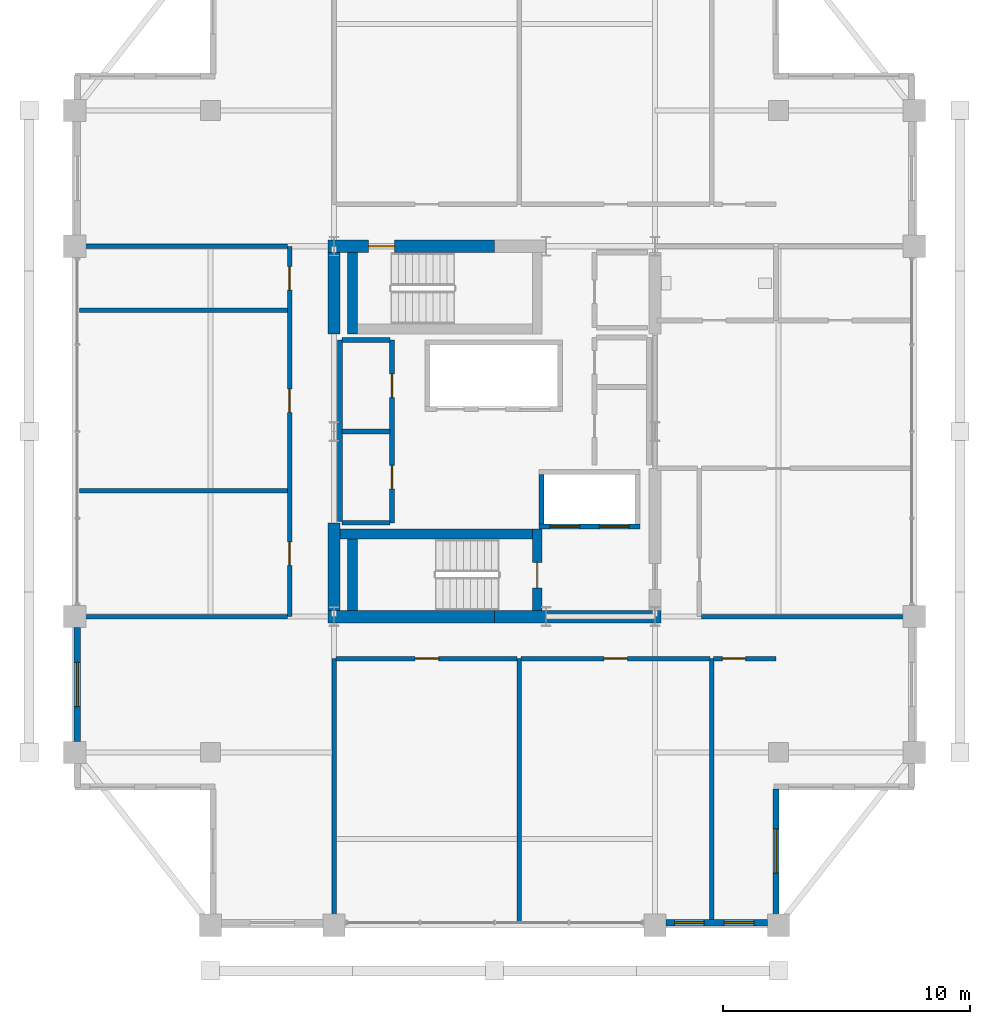
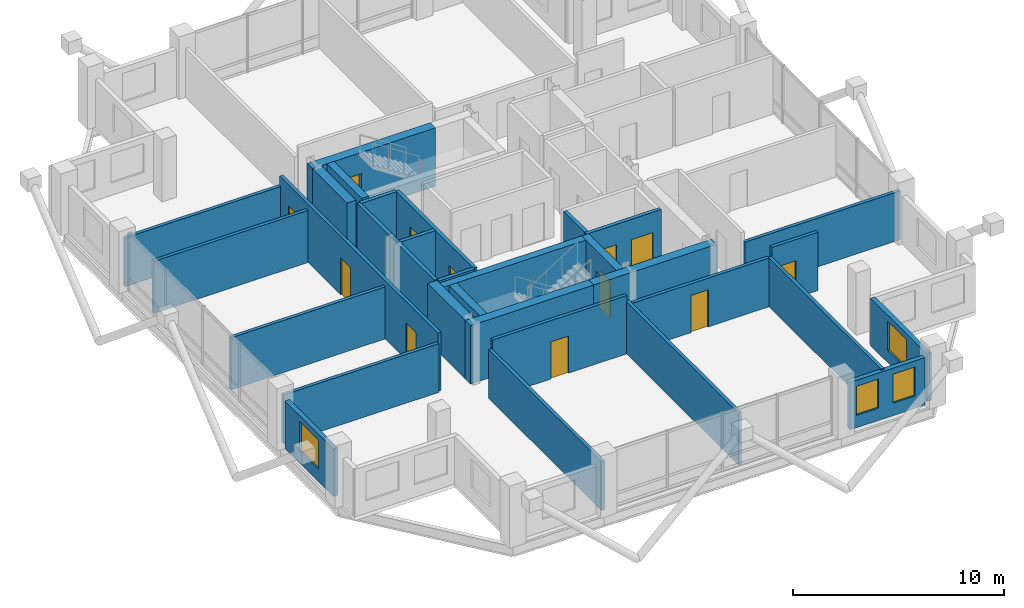
# One storey, part 18 of 22: 31 walls, 12 doors, 4 windows, 16 openings.
"""IFC4 building model written with IfcOpenShell, lengths in metres."""

from ifc_helpers import new_model, si_unit, direction, frame, frame_2d, origin, place, context, subcontext, project, spatial, rectangle, extrude, material, layer, layer_set, type_object, element, fill, save


model = new_model("IFC4")

# Units and contexts
model_context = context("Model", 3, precision=1e-05, world=origin(), true_north=direction((0.0, 1.0)))
body_context = subcontext(model_context, "Body", "Model", "MODEL_VIEW")
ifc_project = project(units=[si_unit("LENGTHUNIT", "METRE"), si_unit("AREAUNIT", "SQUARE_METRE"), si_unit("VOLUMEUNIT", "CUBIC_METRE"), si_unit("PLANEANGLEUNIT", "RADIAN"), si_unit("MASSUNIT", "GRAM", prefix="KILO")], contexts=[model_context])

# Site, building, storey
site_placement = place(None, origin())
site = spatial("IfcSite", under=ifc_project, at=site_placement, CompositionType="ELEMENT")
building_placement = place(site_placement, origin())
building = spatial("IfcBuilding", under=site, at=building_placement, Name="Barlavira Tower and Art Museum", CompositionType="ELEMENT")
storey_placement = place(building_placement, frame((0.0, 0.0, 258.300048828125)))
storey = spatial("IfcBuildingStorey", under=building, at=storey_placement, Name="L67", CompositionType="ELEMENT", Elevation=258.300048828125)

# Walls
ifc_material_1 = material(Name="Concrete C60", Category="concrete")
ifc_layer_1 = layer(ifc_material_1, 0.5, Name="Concrete C60")
ifc_layer_set_1 = layer_set([ifc_layer_1], Name="Concrete C60")
wall_type_1 = type_object("IfcWallType", Name="Core Structural Shear Wall 500 Concrete C60", PredefinedType="SHEAR", material=ifc_layer_set_1)
for number, where, z_axis, x_axis, name in (
    (1, (-6.75, -7.5, 0.0), (0.0, 0.0, 1.0), (1.0, 0.0, 0.0), "L67 Core Shear Wall CS-SW"),
    (2, (0.0, -7.5, 0.0), (0.0, 0.0, 1.0), (1.0, 0.0, 0.0), "L67 Core Shear Wall CS-SE"),
):
    element("IfcWall", number, at=place(storey_placement, frame(where, z_axis=z_axis, x_axis=x_axis)), inside=storey, type_object=wall_type_1, Name=name, PredefinedType="SHEAR", context=body_context, shape_type="SweptSolid", body=[
        extrude(rectangle(XDim=6.75, YDim=0.5, at=frame_2d((3.375, 0.0))), origin(), (0.0, 0.0, 1.0), 3.3798828125),
    ])

# Wall, opening, door
wall_1_placement = place(storey_placement, frame((-6.75, 7.5, 0.0), z_axis=(0.0, 0.0, 1.0), x_axis=(1.0, 0.0, 0.0)))
wall_1 = element("IfcWall", 3, at=wall_1_placement, inside=storey, type_object=wall_type_1, Name="L67 Core Shear Wall CS-NW", PredefinedType="SHEAR", context=body_context, shape_type="SweptSolid", body=[
    extrude(rectangle(XDim=6.75, YDim=0.5, at=frame_2d((3.375, 0.0))), origin(), (0.0, 0.0, 1.0), 3.3798828125),
])
opening_1_placement = place(wall_1_placement, frame((1.64990234375, 0.0, 0.0)))
opening_1 = element("IfcOpeningElement", 4, at=opening_1_placement, cuts=wall_1, Name="Opening FD-90", PredefinedType="OPENING", context=body_context, shape_type="SweptSolid", body=[
    extrude(rectangle(XDim=1.050048828125, YDim=2.14990234375, at=frame_2d((0.52490234375, 1.074951171875))), frame((0.0, 0.260009765625, 0.0), z_axis=(0.0, -1.0, 0.0), x_axis=(1.0, 0.0, 0.0)), (0.0, 0.0, 1.0), 0.52001953125),
])
ifc_material_2 = material(Name="Brushed stainless steel", Category="steel")
door_type_1 = type_object("IfcDoorType", Name="Stair and Refuge Fire Door 1050x2150 FD90S", OperationType="NOTDEFINED", PredefinedType="DOOR", material=ifc_material_2)
door_1_placement = place(opening_1_placement, origin())
door_1 = element("IfcDoor", 5, at=door_1_placement, inside=storey, type_object=door_type_1, Name="L67 Stair ST-T2 Fire Door", OperationType="SINGLE_SWING_LEFT", OverallHeight=2.14990234375, OverallWidth=1.050048828125, PredefinedType="DOOR", context=body_context, shape_type="SweptSolid", body=[
    extrude(rectangle(XDim=1.050048828125, YDim=2.14990234375, at=frame_2d((0.52490234375, 1.074951171875))), frame((0.0, 0.02490234375, 0.0), z_axis=(0.0, -1.0, 0.0), x_axis=(1.0, 0.0, 0.0)), (0.0, 0.0, 1.0), 0.050048828125),
])
fill(opening_1, door_1)

# Walls
wall_2_placement = place(storey_placement, frame((-6.5, -7.25, 0.0), z_axis=(0.0, 0.0, 1.0), x_axis=(0.0, 1.0, 0.0)))
element("IfcWall", 6, at=wall_2_placement, inside=storey, type_object=wall_type_1, Name="L67 Core Shear Wall CS-W1", PredefinedType="SHEAR", context=body_context, shape_type="SweptSolid", body=[
    extrude(rectangle(XDim=3.550048828125, YDim=0.5, at=frame_2d((1.77490234375, 0.0))), origin(), (0.0, 0.0, 1.0), 3.3798828125),
])
wall_3_placement = place(storey_placement, frame((-6.5, 3.949951171875, 0.0), z_axis=(0.0, 0.0, 1.0), x_axis=(0.0, 1.0, 0.0)))
element("IfcWall", 7, at=wall_3_placement, inside=storey, type_object=wall_type_1, Name="L67 Core Shear Wall CS-W2", PredefinedType="SHEAR", context=body_context, shape_type="SweptSolid", body=[
    extrude(rectangle(XDim=3.300048828125, YDim=0.5, at=frame_2d((1.64990234375, 0.0))), origin(), (0.0, 0.0, 1.0), 3.3798828125),
])

# Wall, openings, doors
ifc_material_3 = material(Name="Autoclaved aerated concrete masonry", Category="masonry")
ifc_layer_2 = layer(ifc_material_3, 0.199951171875, Name="Autoclaved aerated concrete masonry")
ifc_layer_set_2 = layer_set([ifc_layer_2], Name="Autoclaved aerated concrete masonry")
wall_type_2 = type_object("IfcWallType", Name="Fire Compartment and Shaft Wall 200", PredefinedType="SOLIDWALL", material=ifc_layer_set_2)
wall_4_placement = place(storey_placement, frame((1.800048828125, -3.85009765625, 0.0), z_axis=(0.0, 0.0, 1.0), x_axis=(1.0, 0.0, 0.0)))
wall_4 = element("IfcWall", 8, at=wall_4_placement, inside=storey, type_object=wall_type_2, Name="L67 Firefighting Lift Front Shaft Wall", PredefinedType="SOLIDWALL", context=body_context, shape_type="SweptSolid", body=[
    extrude(rectangle(XDim=4.099853515625, YDim=0.199951171875, at=frame_2d((2.0498046875, 0.0))), origin(), (0.0, 0.0, 1.0), 3.3798828125),
])
opening_2_placement = place(wall_4_placement, frame((0.449951171875, 0.0, 0.0)))
opening_2 = element("IfcOpeningElement", 9, at=opening_2_placement, cuts=wall_4, Name="Opening LD-F", PredefinedType="OPENING", context=body_context, shape_type="SweptSolid", body=[
    extrude(rectangle(XDim=1.199951171875, YDim=2.199951171875, at=frame_2d((0.60009765625, 1.10009765625))), frame((0.0, 0.10986328125, 0.0), z_axis=(0.0, -1.0, 0.0), x_axis=(1.0, 0.0, 0.0)), (0.0, 0.0, 1.0), 0.219970703125),
])
opening_3_placement = place(wall_4_placement, frame((2.449951171875, 0.0, 0.0)))
opening_3 = element("IfcOpeningElement", 10, at=opening_3_placement, cuts=wall_4, Name="Opening LD-F", PredefinedType="OPENING", context=body_context, shape_type="SweptSolid", body=[
    extrude(rectangle(XDim=1.199951171875, YDim=2.199951171875, at=frame_2d((0.60009765625, 1.10009765625))), frame((0.0, 0.10986328125, 0.0), z_axis=(0.0, -1.0, 0.0), x_axis=(1.0, 0.0, 0.0)), (0.0, 0.0, 1.0), 0.219970703125),
])
door_type_2 = type_object("IfcDoorType", Name="Firefighting and Service Lift Sliding Door 1200x2200 FD120", OperationType="NOTDEFINED", PredefinedType="DOOR", material=ifc_material_2)
door_2_placement = place(opening_2_placement, origin())
door_2 = element("IfcDoor", 11, at=door_2_placement, inside=storey, type_object=door_type_2, Name="L67 Firefighting Lift FF1 Sliding Door", OperationType="DOUBLE_DOOR_SLIDING", OverallHeight=2.199951171875, OverallWidth=1.199951171875, PredefinedType="DOOR", context=body_context, shape_type="SweptSolid", body=[
    extrude(rectangle(XDim=1.199951171875, YDim=2.199951171875, at=frame_2d((0.60009765625, 1.10009765625))), frame((0.0, 0.02490234375, 0.0), z_axis=(0.0, -1.0, 0.0), x_axis=(1.0, 0.0, 0.0)), (0.0, 0.0, 1.0), 0.050048828125),
])
fill(opening_2, door_2)
door_3_placement = place(opening_3_placement, origin())
door_3 = element("IfcDoor", 12, at=door_3_placement, inside=storey, type_object=door_type_2, Name="L67 Firefighting Lift FF2 Sliding Door", OperationType="DOUBLE_DOOR_SLIDING", OverallHeight=2.199951171875, OverallWidth=1.199951171875, PredefinedType="DOOR", context=body_context, shape_type="SweptSolid", body=[
    extrude(rectangle(XDim=1.199951171875, YDim=2.199951171875, at=frame_2d((0.60009765625, 1.10009765625))), frame((0.0, 0.02490234375, 0.0), z_axis=(0.0, -1.0, 0.0), x_axis=(1.0, 0.0, 0.0)), (0.0, 0.0, 1.0), 0.050048828125),
])
fill(opening_3, door_3)

# Walls
wall_5_placement = place(storey_placement, frame((1.89990234375, -3.75, 0.0), z_axis=(0.0, 0.0, 1.0), x_axis=(0.0, 1.0, 0.0)))
element("IfcWall", 13, at=wall_5_placement, inside=storey, type_object=wall_type_2, Name="L67 Firefighting Lift West Shaft Wall", PredefinedType="SOLIDWALL", context=body_context, shape_type="SweptSolid", body=[
    extrude(rectangle(XDim=2.0, YDim=0.199951171875, at=frame_2d((1.0, 0.0))), origin(), (0.0, 0.0, 1.0), 3.3798828125),
])
wall_6_placement = place(storey_placement, frame((-6.25, -3.639892578125, 0.0), z_axis=(0.0, 0.0, 1.0), x_axis=(0.0, 1.0, 0.0)))
element("IfcWall", 14, at=wall_6_placement, inside=storey, type_object=wall_type_2, Name="L67 Partition Wall 4", PredefinedType="SOLIDWALL", context=body_context, shape_type="SweptSolid", body=[
    extrude(rectangle(XDim=7.33984375, YDim=0.199951171875, at=frame_2d((3.669921875, 0.0))), origin(), (0.0, 0.0, 1.0), 3.3798828125),
])

# Wall, openings, doors
wall_7_placement = place(storey_placement, frame((-4.14990234375, -3.699951171875, 0.0), z_axis=(0.0, 0.0, 1.0), x_axis=(0.0, 1.0, 0.0)))
wall_7 = element("IfcWall", 15, at=wall_7_placement, inside=storey, type_object=wall_type_2, Name="L67 Partition Wall 5", PredefinedType="SOLIDWALL", context=body_context, shape_type="SweptSolid", body=[
    extrude(rectangle(XDim=7.39990234375, YDim=0.199951171875, at=frame_2d((3.699951171875, 0.0))), origin(), (0.0, 0.0, 1.0), 3.3798828125),
])
opening_4_placement = place(wall_7_placement, frame((1.375, 0.0, 0.0)))
opening_4 = element("IfcOpeningElement", 16, at=opening_4_placement, cuts=wall_7, Name="Opening FD-60", PredefinedType="OPENING", context=body_context, shape_type="SweptSolid", body=[
    extrude(rectangle(XDim=0.949951171875, YDim=2.14990234375, at=frame_2d((0.47509765625, 1.074951171875))), frame((0.0, 0.10986328125, 0.0), z_axis=(0.0, -1.0, 0.0), x_axis=(1.0, 0.0, 0.0)), (0.0, 0.0, 1.0), 0.219970703125),
])
opening_5_placement = place(wall_7_placement, frame((5.074951171875, 0.0, 0.0)))
opening_5 = element("IfcOpeningElement", 17, at=opening_5_placement, cuts=wall_7, Name="Opening FD-60", PredefinedType="OPENING", context=body_context, shape_type="SweptSolid", body=[
    extrude(rectangle(XDim=0.949951171875, YDim=2.14990234375, at=frame_2d((0.47509765625, 1.074951171875))), frame((0.0, 0.10986328125, 0.0), z_axis=(0.0, -1.0, 0.0), x_axis=(1.0, 0.0, 0.0)), (0.0, 0.0, 1.0), 0.219970703125),
])
door_type_3 = type_object("IfcDoorType", Name="Apartment Entrance and Riser Fire Door 950x2150 FD60S", OperationType="NOTDEFINED", PredefinedType="DOOR", material=ifc_material_2)
door_4_placement = place(opening_4_placement, origin())
door_4 = element("IfcDoor", 18, at=door_4_placement, inside=storey, type_object=door_type_3, Name="Reclaimed Core Linen and Amenity Store Door", OperationType="SINGLE_SWING_RIGHT", OverallHeight=2.14990234375, OverallWidth=0.949951171875, PredefinedType="DOOR", context=body_context, shape_type="SweptSolid", body=[
    extrude(rectangle(XDim=0.949951171875, YDim=2.14990234375, at=frame_2d((0.47509765625, 1.074951171875))), frame((0.0, 0.02490234375, 0.0), z_axis=(0.0, -1.0, 0.0), x_axis=(1.0, 0.0, 0.0)), (0.0, 0.0, 1.0), 0.050048828125),
])
fill(opening_4, door_4)
door_5_placement = place(opening_5_placement, origin())
door_5 = element("IfcDoor", 19, at=door_5_placement, inside=storey, type_object=door_type_3, Name="Reclaimed Core Telecom and BMS Room Door", OperationType="SINGLE_SWING_LEFT", OverallHeight=2.14990234375, OverallWidth=0.949951171875, PredefinedType="DOOR", context=body_context, shape_type="SweptSolid", body=[
    extrude(rectangle(XDim=0.949951171875, YDim=2.14990234375, at=frame_2d((0.47509765625, 1.074951171875))), frame((0.0, 0.02490234375, 0.0), z_axis=(0.0, -1.0, 0.0), x_axis=(1.0, 0.0, 0.0)), (0.0, 0.0, 1.0), 0.050048828125),
])
fill(opening_5, door_5)

# Walls
for number, where, z_axis, x_axis, name in (
    (20, (-6.169921875, -3.699951171875, 0.0), (0.0, 0.0, 1.0), (1.0, 0.0, 0.0), "L67 Partition Wall 21"),
    (21, (-6.169921875, 0.0, 0.0), (0.0, 0.0, 1.0), (1.0, 0.0, 0.0), "L67 Partition Wall 25"),
    (22, (-6.169921875, 3.699951171875, 0.0), (0.0, 0.0, 1.0), (1.0, 0.0, 0.0), "L67 Partition Wall 27"),
):
    element("IfcWall", number, at=place(storey_placement, frame(where, z_axis=z_axis, x_axis=x_axis)), inside=storey, type_object=wall_type_2, Name=name, PredefinedType="SOLIDWALL", context=body_context, shape_type="SweptSolid", body=[
        extrude(rectangle(XDim=1.93994140625, YDim=0.199951171875, at=frame_2d((0.969970703125, 0.0))), origin(), (0.0, 0.0, 1.0), 3.3798828125),
    ])

# Wall, openings, doors
ifc_material_4 = material(Name="Gypsum acoustic stud partition", Category="gypsum")
ifc_layer_3 = layer(ifc_material_4, 0.179931640625, Name="Gypsum acoustic stud partition")
ifc_layer_set_3 = layer_set([ifc_layer_3], Name="Gypsum acoustic stud partition")
wall_type_3 = type_object("IfcWallType", Name="Inter-Tenancy Party Partition Wall 180", PredefinedType="PARTITIONING", material=ifc_layer_set_3)
wall_8_placement = place(storey_placement, frame((-8.300048828125, -7.5, 0.0), z_axis=(0.0, 0.0, 1.0), x_axis=(0.0, 1.0, 0.0)))
wall_8 = element("IfcWall", 23, at=wall_8_placement, inside=storey, type_object=wall_type_3, Name="L67 Partition Wall 1", PredefinedType="PARTITIONING", context=body_context, shape_type="SweptSolid", body=[
    extrude(rectangle(XDim=15.0, YDim=0.179931640625, at=frame_2d((7.5, 0.0))), origin(), (0.0, 0.0, 1.0), 3.3798828125),
])
opening_6_placement = place(wall_8_placement, frame((2.074951171875, 0.0, 0.0)))
opening_6 = element("IfcOpeningElement", 24, at=opening_6_placement, cuts=wall_8, Name="Opening FD-60", PredefinedType="OPENING", context=body_context, shape_type="SweptSolid", body=[
    extrude(rectangle(XDim=0.949951171875, YDim=2.14990234375, at=frame_2d((0.47509765625, 1.074951171875))), frame((0.0, 0.10009765625, 0.0), z_axis=(0.0, -1.0, 0.0), x_axis=(1.0, 0.0, 0.0)), (0.0, 0.0, 1.0), 0.199951171875),
])
opening_7_placement = place(wall_8_placement, frame((8.27490234375, 0.0, 0.0)))
opening_7 = element("IfcOpeningElement", 25, at=opening_7_placement, cuts=wall_8, Name="Opening FD-60", PredefinedType="OPENING", context=body_context, shape_type="SweptSolid", body=[
    extrude(rectangle(XDim=0.949951171875, YDim=2.14990234375, at=frame_2d((0.47509765625, 1.074951171875))), frame((0.0, 0.10009765625, 0.0), z_axis=(0.0, -1.0, 0.0), x_axis=(1.0, 0.0, 0.0)), (0.0, 0.0, 1.0), 0.199951171875),
])
opening_8_placement = place(wall_8_placement, frame((13.22509765625, 0.0, 0.0)))
opening_8 = element("IfcOpeningElement", 26, at=opening_8_placement, cuts=wall_8, Name="Opening FD-60", PredefinedType="OPENING", context=body_context, shape_type="SweptSolid", body=[
    extrude(rectangle(XDim=0.949951171875, YDim=2.14990234375, at=frame_2d((0.47509765625, 1.074951171875))), frame((0.0, 0.10009765625, 0.0), z_axis=(0.0, -1.0, 0.0), x_axis=(1.0, 0.0, 0.0)), (0.0, 0.0, 1.0), 0.199951171875),
])
door_6_placement = place(opening_6_placement, origin())
door_6 = element("IfcDoor", 27, at=door_6_placement, inside=storey, type_object=door_type_3, Name="Resident Sky Coworking Studio Door", OperationType="SINGLE_SWING_LEFT", OverallHeight=2.14990234375, OverallWidth=0.949951171875, PredefinedType="DOOR", context=body_context, shape_type="SweptSolid", body=[
    extrude(rectangle(XDim=0.949951171875, YDim=2.14990234375, at=frame_2d((0.47509765625, 1.074951171875))), frame((0.0, 0.02490234375, 0.0), z_axis=(0.0, -1.0, 0.0), x_axis=(1.0, 0.0, 0.0)), (0.0, 0.0, 1.0), 0.050048828125),
])
fill(opening_6, door_6)
door_7_placement = place(opening_7_placement, origin())
door_7 = element("IfcDoor", 28, at=door_7_placement, inside=storey, type_object=door_type_3, Name="Atlantic Horizon Boardroom Door", OperationType="SINGLE_SWING_RIGHT", OverallHeight=2.14990234375, OverallWidth=0.949951171875, PredefinedType="DOOR", context=body_context, shape_type="SweptSolid", body=[
    extrude(rectangle(XDim=0.949951171875, YDim=2.14990234375, at=frame_2d((0.47509765625, 1.074951171875))), frame((0.0, 0.02490234375, 0.0), z_axis=(0.0, -1.0, 0.0), x_axis=(1.0, 0.0, 0.0)), (0.0, 0.0, 1.0), 0.050048828125),
])
fill(opening_7, door_7)
door_8_placement = place(opening_8_placement, origin())
door_8 = element("IfcDoor", 29, at=door_8_placement, inside=storey, type_object=door_type_3, Name="Shared Coworking Espresso Pantry Door", OperationType="SINGLE_SWING_LEFT", OverallHeight=2.14990234375, OverallWidth=0.949951171875, PredefinedType="DOOR", context=body_context, shape_type="SweptSolid", body=[
    extrude(rectangle(XDim=0.949951171875, YDim=2.14990234375, at=frame_2d((0.47509765625, 1.074951171875))), frame((0.0, 0.02490234375, 0.0), z_axis=(0.0, -1.0, 0.0), x_axis=(1.0, 0.0, 0.0)), (0.0, 0.0, 1.0), 0.050048828125),
])
fill(opening_8, door_8)

# Walls
wall_9_placement = place(storey_placement, frame((-6.5, -19.89990234375, 0.0), z_axis=(0.0, 0.0, 1.0), x_axis=(0.0, 1.0, 0.0)))
element("IfcWall", 30, at=wall_9_placement, inside=storey, type_object=wall_type_3, Name="L67 Partition Wall 2", PredefinedType="PARTITIONING", context=body_context, shape_type="SweptSolid", body=[
    extrude(rectangle(XDim=10.699951171875, YDim=0.179931640625, at=frame_2d((5.35009765625, 0.0))), origin(), (0.0, 0.0, 1.0), 2.825927734375),
])
wall_10_placement = place(storey_placement, frame((1.0, -19.89990234375, 0.0), z_axis=(0.0, 0.0, 1.0), x_axis=(0.0, 1.0, 0.0)))
element("IfcWall", 31, at=wall_10_placement, inside=storey, type_object=wall_type_3, Name="L67 Partition Wall 6", PredefinedType="PARTITIONING", context=body_context, shape_type="SweptSolid", body=[
    extrude(rectangle(XDim=10.699951171875, YDim=0.179931640625, at=frame_2d((5.35009765625, 0.0))), origin(), (0.0, 0.0, 1.0), 3.01806640625),
])
wall_11_placement = place(storey_placement, frame((8.800048828125, -19.89990234375, 0.0), z_axis=(0.0, 0.0, 1.0), x_axis=(0.0, 1.0, 0.0)))
element("IfcWall", 32, at=wall_11_placement, inside=storey, type_object=wall_type_3, Name="L67 Partition Wall 13", PredefinedType="PARTITIONING", context=body_context, shape_type="SweptSolid", body=[
    extrude(rectangle(XDim=10.699951171875, YDim=0.179931640625, at=frame_2d((5.35009765625, 0.0))), origin(), (0.0, 0.0, 1.0), 2.825927734375),
])

# Wall, opening, door
wall_12_placement = place(storey_placement, frame((-6.419921875, -9.199951171875, 0.0), z_axis=(0.0, 0.0, 1.0), x_axis=(1.0, 0.0, 0.0)))
wall_12 = element("IfcWall", 33, at=wall_12_placement, inside=storey, type_object=wall_type_3, Name="L67 Partition Wall 16", PredefinedType="PARTITIONING", context=body_context, shape_type="SweptSolid", body=[
    extrude(rectangle(XDim=7.33984375, YDim=0.179931640625, at=frame_2d((3.669921875, 0.0))), origin(), (0.0, 0.0, 1.0), 3.3798828125),
])
opening_9_placement = place(wall_12_placement, frame((3.205078125, 0.0, 0.0)))
opening_9 = element("IfcOpeningElement", 34, at=opening_9_placement, cuts=wall_12, Name="Opening FD-60", PredefinedType="OPENING", context=body_context, shape_type="SweptSolid", body=[
    extrude(rectangle(XDim=0.949951171875, YDim=2.14990234375, at=frame_2d((0.47509765625, 1.074951171875))), frame((0.0, 0.10009765625, 0.0), z_axis=(0.0, -1.0, 0.0), x_axis=(1.0, 0.0, 0.0)), (0.0, 0.0, 1.0), 0.199951171875),
])
door_9_placement = place(opening_9_placement, origin())
door_9 = element("IfcDoor", 35, at=door_9_placement, inside=storey, type_object=door_type_3, Name="Resident Rare-Book Reading Room Door", OperationType="SINGLE_SWING_LEFT", OverallHeight=2.14990234375, OverallWidth=0.949951171875, PredefinedType="DOOR", context=body_context, shape_type="SweptSolid", body=[
    extrude(rectangle(XDim=0.949951171875, YDim=2.14990234375, at=frame_2d((0.47509765625, 1.074951171875))), frame((0.0, 0.02490234375, 0.0), z_axis=(0.0, -1.0, 0.0), x_axis=(1.0, 0.0, 0.0)), (0.0, 0.0, 1.0), 0.050048828125),
])
fill(opening_9, door_9)

wall_13_placement = place(storey_placement, frame((1.080078125, -9.199951171875, 0.0), z_axis=(0.0, 0.0, 1.0), x_axis=(1.0, 0.0, 0.0)))
wall_13 = element("IfcWall", 36, at=wall_13_placement, inside=storey, type_object=wall_type_3, Name="L67 Partition Wall 17", PredefinedType="PARTITIONING", context=body_context, shape_type="SweptSolid", body=[
    extrude(rectangle(XDim=7.639892578125, YDim=0.179931640625, at=frame_2d((3.81982421875, 0.0))), origin(), (0.0, 0.0, 1.0), 2.825927734375),
])
opening_10_placement = place(wall_13_placement, frame((3.35498046875, 0.0, 0.0)))
opening_10 = element("IfcOpeningElement", 37, at=opening_10_placement, cuts=wall_13, Name="Opening FD-60", PredefinedType="OPENING", context=body_context, shape_type="SweptSolid", body=[
    extrude(rectangle(XDim=0.949951171875, YDim=2.14990234375, at=frame_2d((0.47509765625, 1.074951171875))), frame((0.0, 0.10009765625, 0.0), z_axis=(0.0, -1.0, 0.0), x_axis=(1.0, 0.0, 0.0)), (0.0, 0.0, 1.0), 0.199951171875),
])
door_10_placement = place(opening_10_placement, origin())
door_10 = element("IfcDoor", 38, at=door_10_placement, inside=storey, type_object=door_type_3, Name="Private Coastal Dining Salon Door", OperationType="SINGLE_SWING_RIGHT", OverallHeight=2.14990234375, OverallWidth=0.949951171875, PredefinedType="DOOR", context=body_context, shape_type="SweptSolid", body=[
    extrude(rectangle(XDim=0.949951171875, YDim=2.14990234375, at=frame_2d((0.47509765625, 1.074951171875))), frame((0.0, 0.02490234375, 0.0), z_axis=(0.0, -1.0, 0.0), x_axis=(1.0, 0.0, 0.0)), (0.0, 0.0, 1.0), 0.050048828125),
])
fill(opening_10, door_10)

wall_14_placement = place(storey_placement, frame((8.8798828125, -9.199951171875, 0.0), z_axis=(0.0, 0.0, 1.0), x_axis=(1.0, 0.0, 0.0)))
wall_14 = element("IfcWall", 39, at=wall_14_placement, inside=storey, type_object=wall_type_3, Name="L67 Partition Wall 18", PredefinedType="PARTITIONING", context=body_context, shape_type="SweptSolid", body=[
    extrude(rectangle(XDim=2.52001953125, YDim=0.179931640625, at=frame_2d((1.260009765625, 0.0))), origin(), (0.0, 0.0, 1.0), 3.3798828125),
])
opening_11_placement = place(wall_14_placement, frame((0.344970703125, 0.0, 0.0)))
opening_11 = element("IfcOpeningElement", 40, at=opening_11_placement, cuts=wall_14, Name="Opening FD-60", PredefinedType="OPENING", context=body_context, shape_type="SweptSolid", body=[
    extrude(rectangle(XDim=0.949951171875, YDim=2.14990234375, at=frame_2d((0.47509765625, 1.074951171875))), frame((0.0, 0.10009765625, 0.0), z_axis=(0.0, -1.0, 0.0), x_axis=(1.0, 0.0, 0.0)), (0.0, 0.0, 1.0), 0.199951171875),
])
door_11_placement = place(opening_11_placement, origin())
door_11 = element("IfcDoor", 41, at=door_11_placement, inside=storey, type_object=door_type_3, Name="Shared Catering Kitchen Door", OperationType="SINGLE_SWING_LEFT", OverallHeight=2.14990234375, OverallWidth=0.949951171875, PredefinedType="DOOR", context=body_context, shape_type="SweptSolid", body=[
    extrude(rectangle(XDim=0.949951171875, YDim=2.14990234375, at=frame_2d((0.47509765625, 1.074951171875))), frame((0.0, 0.02490234375, 0.0), z_axis=(0.0, -1.0, 0.0), x_axis=(1.0, 0.0, 0.0)), (0.0, 0.0, 1.0), 0.050048828125),
])
fill(opening_11, door_11)

# Walls
for number, where, z_axis, x_axis, name in (
    (42, (-16.89990234375, -7.5, 0.0), (0.0, 0.0, 1.0), (1.0, 0.0, 0.0), "L67 Partition Wall 19"),
    (43, (8.3798828125, -7.5, 0.0), (0.0, 0.0, 1.0), (1.0, 0.0, 0.0), "L67 Partition Wall 20"),
):
    element("IfcWall", number, at=place(storey_placement, frame(where, z_axis=z_axis, x_axis=x_axis)), inside=storey, type_object=wall_type_3, Name=name, PredefinedType="PARTITIONING", context=body_context, shape_type="SweptSolid", body=[
        extrude(rectangle(XDim=8.52001953125, YDim=0.179931640625, at=frame_2d((4.260009765625, 0.0))), origin(), (0.0, 0.0, 1.0), 2.825927734375),
    ])
for number, where, z_axis, x_axis, name in (
    (44, (-16.820068359375, -2.39990234375, 0.0), (0.0, 0.0, 1.0), (1.0, 0.0, 0.0), "L67 Partition Wall 22"),
    (45, (-16.820068359375, 4.89990234375, 0.0), (0.0, 0.0, 1.0), (1.0, 0.0, 0.0), "L67 Partition Wall 32"),
):
    element("IfcWall", number, at=place(storey_placement, frame(where, z_axis=z_axis, x_axis=x_axis)), inside=storey, type_object=wall_type_3, Name=name, PredefinedType="PARTITIONING", context=body_context, shape_type="SweptSolid", body=[
        extrude(rectangle(XDim=8.440185546875, YDim=0.179931640625, at=frame_2d((4.22021484375, 0.0))), origin(), (0.0, 0.0, 1.0), 3.01806640625),
    ])
wall_15_placement = place(storey_placement, frame((-16.89990234375, 7.5, 0.0), z_axis=(0.0, 0.0, 1.0), x_axis=(1.0, 0.0, 0.0)))
element("IfcWall", 46, at=wall_15_placement, inside=storey, type_object=wall_type_3, Name="L67 Partition Wall 34", PredefinedType="PARTITIONING", context=body_context, shape_type="SweptSolid", body=[
    extrude(rectangle(XDim=8.52001953125, YDim=0.179931640625, at=frame_2d((4.260009765625, 0.0))), origin(), (0.0, 0.0, 1.0), 2.825927734375),
])

# Wall, openings, windows
ifc_material_5 = material(Name="Precast concrete C40", Category="concrete")
ifc_layer_4 = layer(ifc_material_5, 0.25, Name="Precast concrete C40")
ifc_layer_set_4 = layer_set([ifc_layer_4], Name="Precast concrete C40")
wall_type_4 = type_object("IfcWallType", Name="Notched Corner Spandrel Wall 250 Precast Concrete C40", PredefinedType="SOLIDWALL", material=ifc_layer_set_4)
wall_16_placement = place(storey_placement, frame((6.945068359375, -19.89990234375, 0.0), z_axis=(0.0, 0.0, 1.0), x_axis=(1.0, 0.0, 0.0)))
wall_16 = element("IfcWall", 47, at=wall_16_placement, inside=storey, type_object=wall_type_4, Name="L67 Coastal Facade Pier Wall CW4-L67-S-3", PredefinedType="SOLIDWALL", context=body_context, shape_type="SweptSolid", body=[
    extrude(rectangle(XDim=4.10986328125, YDim=0.25, at=frame_2d((2.054931640625, 0.0))), origin(), (0.0, 0.0, 1.0), 2.748046875),
])
opening_12_placement = place(wall_16_placement, frame((0.35009765625, 0.0, 0.719970703125)))
opening_12 = element("IfcOpeningElement", 48, at=opening_12_placement, cuts=wall_16, Name="Opening WN-05", PredefinedType="OPENING", context=body_context, shape_type="SweptSolid", body=[
    extrude(rectangle(XDim=1.199951171875, YDim=1.679931640625, at=frame_2d((0.60009765625, 0.83984375))), frame((0.0, 0.135009765625, 0.0), z_axis=(0.0, -1.0, 0.0), x_axis=(1.0, 0.0, 0.0)), (0.0, 0.0, 1.0), 0.27001953125),
])
opening_13_placement = place(wall_16_placement, frame((2.360107421875, 0.0, 0.719970703125)))
opening_13 = element("IfcOpeningElement", 49, at=opening_13_placement, cuts=wall_16, Name="Opening WN-05", PredefinedType="OPENING", context=body_context, shape_type="SweptSolid", body=[
    extrude(rectangle(XDim=1.199951171875, YDim=1.679931640625, at=frame_2d((0.60009765625, 0.83984375))), frame((0.0, 0.135009765625, 0.0), z_axis=(0.0, -1.0, 0.0), x_axis=(1.0, 0.0, 0.0)), (0.0, 0.0, 1.0), 0.27001953125),
])
ifc_material_6 = material(Name="Low-iron coastal laminated glass", Category="glass")
window_type_1 = type_object("IfcWindowType", Name="Recessed Flank Pier Punch Window 1200x1680", PartitioningType="SINGLE_PANEL", PredefinedType="WINDOW", material=ifc_material_6)
window_1_placement = place(opening_12_placement, origin())
window_1 = element("IfcWindow", 50, at=window_1_placement, inside=storey, type_object=window_type_1, Name="L67 Punched Facade Window EWP-CW4-L67-S-3-1", OverallHeight=1.679931640625, OverallWidth=1.199951171875, PartitioningType="SINGLE_PANEL", PredefinedType="WINDOW", context=body_context, shape_type="SweptSolid", body=[
    extrude(rectangle(XDim=1.199951171875, YDim=1.679931640625, at=frame_2d((0.60009765625, 0.83984375))), frame((0.0, 0.030029296875, 0.0), z_axis=(0.0, -1.0, 0.0), x_axis=(1.0, 0.0, 0.0)), (0.0, 0.0, 1.0), 0.06005859375),
])
fill(opening_12, window_1)
window_2_placement = place(opening_13_placement, origin())
window_2 = element("IfcWindow", 51, at=window_2_placement, inside=storey, type_object=window_type_1, Name="L67 Punched Facade Window EWP-CW4-L67-S-3-2", OverallHeight=1.679931640625, OverallWidth=1.199951171875, PartitioningType="SINGLE_PANEL", PredefinedType="WINDOW", context=body_context, shape_type="SweptSolid", body=[
    extrude(rectangle(XDim=1.199951171875, YDim=1.679931640625, at=frame_2d((0.60009765625, 0.83984375))), frame((0.0, 0.030029296875, 0.0), z_axis=(0.0, -1.0, 0.0), x_axis=(1.0, 0.0, 0.0)), (0.0, 0.0, 1.0), 0.06005859375),
])
fill(opening_13, window_2)

# Wall, opening, window
wall_17_placement = place(storey_placement, frame((-16.89990234375, -7.945068359375, 0.0), z_axis=(0.0, 0.0, 1.0), x_axis=(0.0, -1.0, 0.0)))
wall_17 = element("IfcWall", 52, at=wall_17_placement, inside=storey, type_object=wall_type_4, Name="L67 Coastal Facade Pier Wall CW4-L67-W-4", PredefinedType="SOLIDWALL", context=body_context, shape_type="SweptSolid", body=[
    extrude(rectangle(XDim=4.60986328125, YDim=0.25, at=frame_2d((2.304931640625, 0.0))), origin(), (0.0, 0.0, 1.0), 2.748046875),
])
opening_14_placement = place(wall_17_placement, frame((1.405029296875, 0.0, 0.719970703125)))
opening_14 = element("IfcOpeningElement", 53, at=opening_14_placement, cuts=wall_17, Name="Opening WN-01", PredefinedType="OPENING", context=body_context, shape_type="SweptSolid", body=[
    extrude(rectangle(XDim=1.800048828125, YDim=1.679931640625, at=frame_2d((0.89990234375, 0.83984375))), frame((0.0, 0.135009765625, 0.0), z_axis=(0.0, -1.0, 0.0), x_axis=(1.0, 0.0, 0.0)), (0.0, 0.0, 1.0), 0.27001953125),
])
window_type_2 = type_object("IfcWindowType", Name="Recessed Notch Corner Punch Window 1800x1680", PartitioningType="SINGLE_PANEL", PredefinedType="WINDOW", material=ifc_material_6)
window_3_placement = place(opening_14_placement, origin())
window_3 = element("IfcWindow", 54, at=window_3_placement, inside=storey, type_object=window_type_2, Name="L67 Punched Facade Window EWP-CW4-L67-W-4-1", OverallHeight=1.679931640625, OverallWidth=1.800048828125, PartitioningType="SINGLE_PANEL", PredefinedType="WINDOW", context=body_context, shape_type="SweptSolid", body=[
    extrude(rectangle(XDim=1.800048828125, YDim=1.679931640625, at=frame_2d((0.89990234375, 0.83984375))), frame((0.0, 0.030029296875, 0.0), z_axis=(0.0, -1.0, 0.0), x_axis=(1.0, 0.0, 0.0)), (0.0, 0.0, 1.0), 0.06005859375),
])
fill(opening_14, window_3)

wall_18_placement = place(storey_placement, frame((11.39990234375, -19.820068359375, 0.0), z_axis=(0.0, 0.0, 1.0), x_axis=(0.0, 1.0, 0.0)))
wall_18 = element("IfcWall", 55, at=wall_18_placement, inside=storey, type_object=wall_type_4, Name="L67 Notch Corner Wall SE1", PredefinedType="SOLIDWALL", context=body_context, shape_type="SweptSolid", body=[
    extrude(rectangle(XDim=5.340087890625, YDim=0.25, at=frame_2d((2.669921875, 0.0))), origin(), (0.0, 0.0, 1.0), 2.748046875),
])
opening_15_placement = place(wall_18_placement, frame((1.925048828125, 0.0, 0.719970703125)))
opening_15 = element("IfcOpeningElement", 56, at=opening_15_placement, cuts=wall_18, Name="Opening WN-01", PredefinedType="OPENING", context=body_context, shape_type="SweptSolid", body=[
    extrude(rectangle(XDim=1.800048828125, YDim=1.679931640625, at=frame_2d((0.89990234375, 0.83984375))), frame((0.0, 0.135009765625, 0.0), z_axis=(0.0, -1.0, 0.0), x_axis=(1.0, 0.0, 0.0)), (0.0, 0.0, 1.0), 0.27001953125),
])
window_4_placement = place(opening_15_placement, origin())
window_4 = element("IfcWindow", 57, at=window_4_placement, inside=storey, type_object=window_type_2, Name="L67 Punched Facade Window EW-NTC-L67-SE1-1", OverallHeight=1.679931640625, OverallWidth=1.800048828125, PartitioningType="SINGLE_PANEL", PredefinedType="WINDOW", context=body_context, shape_type="SweptSolid", body=[
    extrude(rectangle(XDim=1.800048828125, YDim=1.679931640625, at=frame_2d((0.89990234375, 0.83984375))), frame((0.0, 0.030029296875, 0.0), z_axis=(0.0, -1.0, 0.0), x_axis=(1.0, 0.0, 0.0)), (0.0, 0.0, 1.0), 0.06005859375),
])
fill(opening_15, window_4)

# Walls
ifc_material_7 = material(Name="Concrete C55", Category="concrete")
ifc_layer_5 = layer(ifc_material_7, 0.39990234375, Name="Concrete C55")
ifc_layer_set_5 = layer_set([ifc_layer_5], Name="Concrete C55")
wall_type_5 = type_object("IfcWallType", Name="Upper Core Shear Wall 400 Concrete C55", PredefinedType="SHEAR", material=ifc_layer_set_5)
wall_19_placement = place(storey_placement, frame((-5.75, -7.25, 0.0), z_axis=(0.0, 0.0, 1.0), x_axis=(0.0, 1.0, 0.0)))
element("IfcWall", 58, at=wall_19_placement, inside=storey, type_object=wall_type_5, Name="L67 ST-T1 West Half-Landing Wall", PredefinedType="SHEAR", context=body_context, shape_type="SweptSolid", body=[
    extrude(rectangle(XDim=2.89990234375, YDim=0.39990234375, at=frame_2d((1.449951171875, 0.0))), origin(), (0.0, 0.0, 1.0), 3.3798828125),
])
wall_20_placement = place(storey_placement, frame((-6.25, -4.14990234375, 0.0), z_axis=(0.0, 0.0, 1.0), x_axis=(1.0, 0.0, 0.0)))
element("IfcWall", 59, at=wall_20_placement, inside=storey, type_object=wall_type_5, Name="L67 ST-T1 North Shaft Wall", PredefinedType="SHEAR", context=body_context, shape_type="SweptSolid", body=[
    extrude(rectangle(XDim=7.780029296875, YDim=0.39990234375, at=frame_2d((3.89013671875, 0.0))), origin(), (0.0, 0.0, 1.0), 3.3798828125),
])

# Wall, opening, door
wall_21_placement = place(storey_placement, frame((1.72998046875, -7.25, 0.0), z_axis=(0.0, 0.0, 1.0), x_axis=(0.0, 1.0, 0.0)))
wall_21 = element("IfcWall", 60, at=wall_21_placement, inside=storey, type_object=wall_type_5, Name="L67 ST-T1 East Landing Wall", PredefinedType="SHEAR", context=body_context, shape_type="SweptSolid", body=[
    extrude(rectangle(XDim=3.300048828125, YDim=0.39990234375, at=frame_2d((1.64990234375, 0.0))), origin(), (0.0, 0.0, 1.0), 3.3798828125),
])
opening_16_placement = place(wall_21_placement, frame((0.89990234375, 0.0, 0.0)))
opening_16 = element("IfcOpeningElement", 61, at=opening_16_placement, cuts=wall_21, Name="Opening FD-90", PredefinedType="OPENING", context=body_context, shape_type="SweptSolid", body=[
    extrude(rectangle(XDim=1.050048828125, YDim=2.14990234375, at=frame_2d((0.52490234375, 1.074951171875))), frame((0.0, 0.2099609375, 0.0), z_axis=(0.0, -1.0, 0.0), x_axis=(1.0, 0.0, 0.0)), (0.0, 0.0, 1.0), 0.419921875),
])
door_12_placement = place(opening_16_placement, origin())
door_12 = element("IfcDoor", 62, at=door_12_placement, inside=storey, type_object=door_type_1, Name="L67 Stair ST-T1 Fire Door", OperationType="SINGLE_SWING_RIGHT", OverallHeight=2.14990234375, OverallWidth=1.050048828125, PredefinedType="DOOR", context=body_context, shape_type="SweptSolid", body=[
    extrude(rectangle(XDim=1.050048828125, YDim=2.14990234375, at=frame_2d((0.52490234375, 1.074951171875))), frame((0.0, 0.02490234375, 0.0), z_axis=(0.0, -1.0, 0.0), x_axis=(1.0, 0.0, 0.0)), (0.0, 0.0, 1.0), 0.050048828125),
])
fill(opening_16, door_12)

# Wall
wall_22_placement = place(storey_placement, frame((-5.75, 3.949951171875, 0.0), z_axis=(0.0, 0.0, 1.0), x_axis=(0.0, 1.0, 0.0)))
element("IfcWall", 63, at=wall_22_placement, inside=storey, type_object=wall_type_5, Name="L67 ST-T2 West Shaft Wall", PredefinedType="SHEAR", context=body_context, shape_type="SweptSolid", body=[
    extrude(rectangle(XDim=3.300048828125, YDim=0.39990234375, at=frame_2d((1.64990234375, 0.0))), origin(), (0.0, 0.0, 1.0), 3.3798828125),
])

save(model, "model.ifc")
